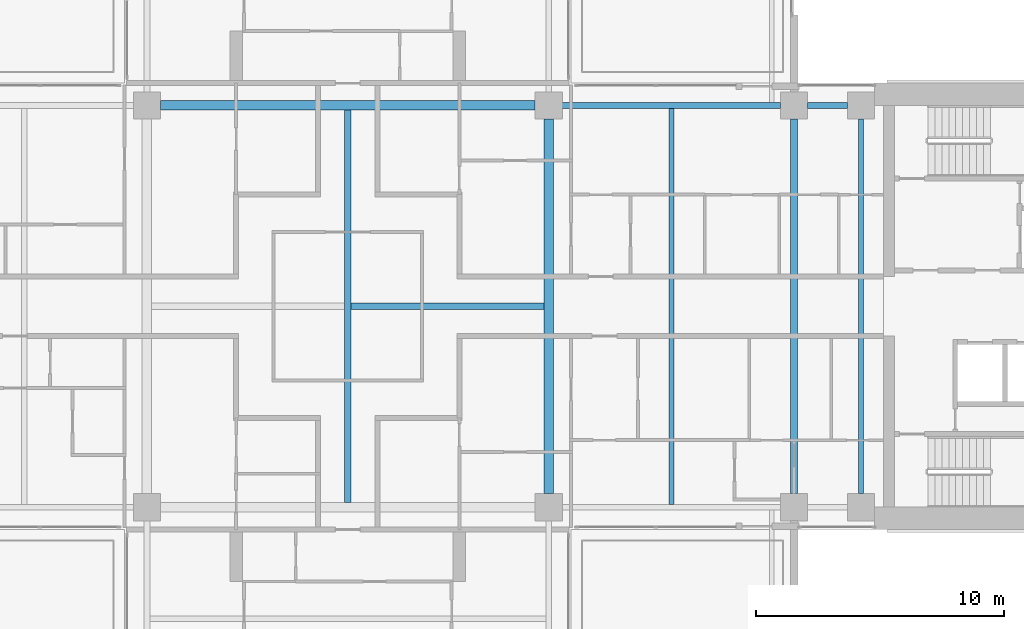
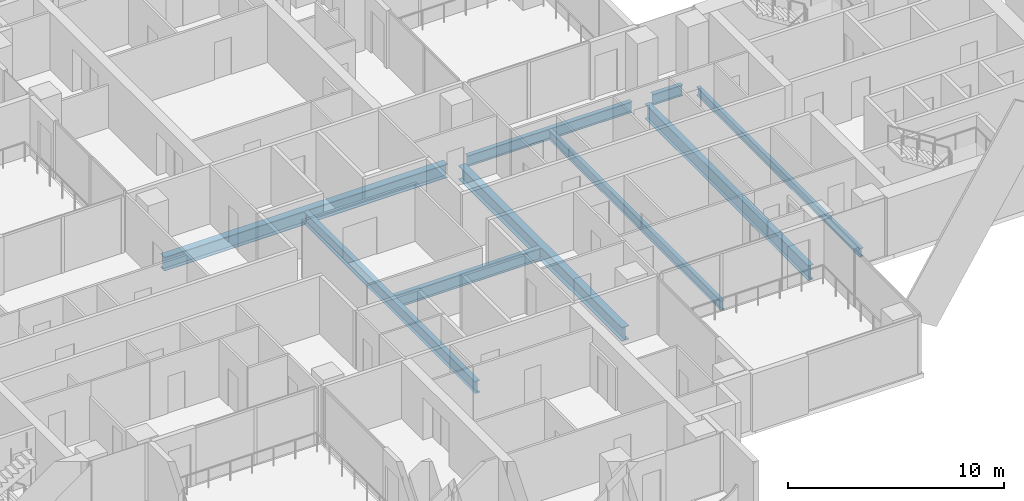
# One storey, part 4 of 19: 9 beams.
"""IFC4 building model written with IfcOpenShell, lengths in metres."""

from ifc_helpers import new_model, si_unit, direction, frame, origin, origin_2d, place, context, subcontext, project, spatial, i_section, extrude, material, material_profile, profile_set, type_object, element, save


model = new_model("IFC4")

# Units and contexts
model_context = context("Model", 3, precision=1e-05, world=origin(), true_north=direction((0.0, 1.0)))
body_context = subcontext(model_context, "Body", "Model", "MODEL_VIEW")
ifc_project = project(units=[si_unit("LENGTHUNIT", "METRE"), si_unit("AREAUNIT", "SQUARE_METRE"), si_unit("VOLUMEUNIT", "CUBIC_METRE"), si_unit("PLANEANGLEUNIT", "RADIAN"), si_unit("MASSUNIT", "GRAM", prefix="KILO")], contexts=[model_context])

# Site, building, storey
site_placement = place(None, origin())
site = spatial("IfcSite", under=ifc_project, at=site_placement, CompositionType="ELEMENT")
building_placement = place(site_placement, origin())
building = spatial("IfcBuilding", under=site, at=building_placement, Name="Perihelion Cross Residences", CompositionType="ELEMENT")
storey_placement = place(building_placement, frame((0.0, 0.0, 116.39990234375)))
storey = spatial("IfcBuildingStorey", under=building, at=storey_placement, Name="L27", CompositionType="ELEMENT", Elevation=116.39990234375)

# Beams
ifc_material_1 = material(Name="Steel S355", Category="steel")
ifc_material_profile_1 = material_profile(ifc_material_1, i_section(OverallWidth=0.194091796875, OverallDepth=0.469970703125, WebThickness=0.0126953125, FlangeThickness=0.0205078125, at=origin_2d()), Name="W460x106")
ifc_profile_set_1 = profile_set([ifc_material_profile_1], Name="Steel S355")
beam_type_1 = type_object("IfcBeamType", Name="Core edge beam W460x106", PredefinedType="BEAM", material=ifc_profile_set_1)
beam_1_placement = place(storey_placement, frame((20.699951171875, -7.550048828125, -0.48486328125), z_axis=(0.0, 1.0, 0.0), x_axis=(-1.0, 0.0, 0.0)))
element("IfcBeam", 1, at=beam_1_placement, inside=storey, type_object=beam_type_1, Name="Core edge beam TB5 L27 no. 2", PredefinedType="BEAM", context=body_context, shape_type="SweptSolid", body=[
    extrude(i_section(OverallWidth=0.194091796875, OverallDepth=0.469970703125, WebThickness=0.0126953125, FlangeThickness=0.0205078125, at=origin_2d()), origin(), (0.0, 0.0, 1.0), 15.10009765625),
])
ifc_material_2 = material(Name="Steel S355", Category="steel")
ifc_material_profile_2 = material_profile(ifc_material_2, i_section(OverallWidth=0.22900390625, OverallDepth=0.612060546875, WebThickness=0.011962890625, FlangeThickness=0.01953125, at=origin_2d()), Name="W610x125")
ifc_profile_set_2 = profile_set([ifc_material_profile_2], Name="Steel S355")
beam_type_2 = type_object("IfcBeamType", Name="Edge beam W610x125", PredefinedType="SPANDREL", material=ifc_profile_set_2)
beam_2_placement = place(storey_placement, frame((20.14990234375, 8.10009765625, -0.555908203125), z_axis=(-1.0, 0.0, 0.0), x_axis=(0.0, -1.0, 0.0)))
element("IfcBeam", 2, at=beam_2_placement, inside=storey, type_object=beam_type_2, Name="Edge beam SB3 L27 no. 13", PredefinedType="SPANDREL", context=body_context, shape_type="SweptSolid", body=[
    extrude(i_section(OverallWidth=0.22900390625, OverallDepth=0.612060546875, WebThickness=0.011962890625, FlangeThickness=0.01953125, at=origin_2d()), origin(), (0.0, 0.0, 1.0), 1.599853515625),
])
beam_3_placement = place(storey_placement, frame((17.449951171875, 8.10009765625, -0.555908203125), z_axis=(-1.0, 0.0, 0.0), x_axis=(0.0, -1.0, 0.0)))
element("IfcBeam", 3, at=beam_3_placement, inside=storey, type_object=beam_type_2, Name="Edge beam SB3 L27 no. 12", PredefinedType="SPANDREL", context=body_context, shape_type="SweptSolid", body=[
    extrude(i_section(OverallWidth=0.22900390625, OverallDepth=0.612060546875, WebThickness=0.011962890625, FlangeThickness=0.01953125, at=origin_2d()), origin(), (0.0, 0.0, 1.0), 8.800048828125),
])
ifc_material_3 = material(Name="Steel S355", Category="steel")
ifc_material_profile_3 = material_profile(ifc_material_3, i_section(OverallWidth=0.2919921875, OverallDepth=0.8359375, WebThickness=0.013916015625, FlangeThickness=0.018798828125, at=origin_2d()), Name="W840x176")
ifc_profile_set_3 = profile_set([ifc_material_profile_3], Name="Steel S355")
beam_type_3 = type_object("IfcBeamType", Name="Floor girder W840x176", PredefinedType="BEAM", material=ifc_profile_set_3)
beam_4_placement = place(storey_placement, frame((18.0, -7.550048828125, -0.66796875), z_axis=(0.0, 1.0, 0.0), x_axis=(-1.0, 0.0, 0.0)))
element("IfcBeam", 4, at=beam_4_placement, inside=storey, type_object=beam_type_3, Name="Girder G3 L27 no. 2", PredefinedType="BEAM", context=body_context, shape_type="SweptSolid", body=[
    extrude(i_section(OverallWidth=0.2919921875, OverallDepth=0.8359375, WebThickness=0.013916015625, FlangeThickness=0.018798828125, at=origin_2d()), origin(), (0.0, 0.0, 1.0), 15.10009765625),
])
ifc_material_4 = material(Name="Steel S355", Category="steel")
ifc_material_profile_4 = material_profile(ifc_material_4, i_section(OverallWidth=0.208984375, OverallDepth=0.532958984375, WebThickness=0.01025390625, FlangeThickness=0.015625, at=origin_2d()), Name="W530x92")
ifc_profile_set_4 = profile_set([ifc_material_profile_4], Name="Steel S355")
beam_type_4 = type_object("IfcBeamType", Name="Floor joist W530x92", PredefinedType="JOIST", material=ifc_profile_set_4)
beam_5_placement = place(storey_placement, frame((13.050048828125, -7.985595703125, -0.516357421875), z_axis=(0.0, 1.0, 0.0), x_axis=(-1.0, 0.0, 0.0)))
element("IfcBeam", 5, at=beam_5_placement, inside=storey, type_object=beam_type_4, Name="Joist J4 L27 no. 2", PredefinedType="JOIST", context=body_context, shape_type="SweptSolid", body=[
    extrude(i_section(OverallWidth=0.208984375, OverallDepth=0.532958984375, WebThickness=0.01025390625, FlangeThickness=0.015625, at=origin_2d()), origin(), (0.0, 0.0, 1.0), 15.97119140625),
])
ifc_material_5 = material(Name="Steel S355", Category="steel")
ifc_material_profile_5 = material_profile(ifc_material_5, i_section(OverallWidth=0.257080078125, OverallDepth=0.693115234375, WebThickness=0.014404296875, FlangeThickness=0.023681640625, at=origin_2d()), Name="W690x170")
ifc_profile_set_5 = profile_set([ifc_material_profile_5], Name="Steel S355")
beam_type_5 = type_object("IfcBeamType", Name="Hub cross beam W690x170", PredefinedType="BEAM", material=ifc_profile_set_5)
beam_6_placement = place(storey_placement, frame((0.0, -7.909423828125, -0.596435546875), z_axis=(0.0, 1.0, 0.0), x_axis=(-1.0, 0.0, 0.0)))
element("IfcBeam", 6, at=beam_6_placement, inside=storey, type_object=beam_type_5, Name="Hub cross beam XB3 L27 no. 1", PredefinedType="BEAM", context=body_context, shape_type="SweptSolid", body=[
    extrude(i_section(OverallWidth=0.257080078125, OverallDepth=0.693115234375, WebThickness=0.014404296875, FlangeThickness=0.023681640625, at=origin_2d()), origin(), (0.0, 0.0, 1.0), 15.81884765625),
])
beam_7_placement = place(storey_placement, frame((0.12841796875, 0.0, -0.596435546875), z_axis=(1.0, 0.0, 0.0), x_axis=(0.0, 1.0, 0.0)))
element("IfcBeam", 7, at=beam_7_placement, inside=storey, type_object=beam_type_5, Name="Hub cross beam XB3 L27 2 no. 1", PredefinedType="BEAM", context=body_context, shape_type="SweptSolid", body=[
    extrude(i_section(OverallWidth=0.257080078125, OverallDepth=0.693115234375, WebThickness=0.014404296875, FlangeThickness=0.023681640625, at=origin_2d()), origin(), (0.0, 0.0, 1.0), 7.781005859375),
])
ifc_material_6 = material(Name="Steel S355", Category="steel")
ifc_material_profile_6 = material_profile(ifc_material_6, i_section(OverallWidth=0.381103515625, OverallDepth=0.77197265625, WebThickness=0.0166015625, FlangeThickness=0.027099609375, at=origin_2d()), Name="W760x257")
ifc_profile_set_6 = profile_set([ifc_material_profile_6], Name="Steel S355")
beam_type_6 = type_object("IfcBeamType", Name="Hub ring girder W760x257", PredefinedType="BEAM", material=ifc_profile_set_6)
for number, where, z_axis, x_axis, name in (
    (8, (8.10009765625, -7.550048828125, -0.635986328125), (0.0, 1.0, 0.0), (-1.0, 0.0, 0.0), "Hub ring girder RG3 L27 no. 3"),
    (9, (7.550048828125, 8.10009765625, -0.635986328125), (-1.0, 0.0, 0.0), (0.0, -1.0, 0.0), "Hub ring girder RG3 L27 no. 4"),
):
    element("IfcBeam", number, at=place(storey_placement, frame(where, z_axis=z_axis, x_axis=x_axis)), inside=storey, type_object=beam_type_6, Name=name, PredefinedType="BEAM", context=body_context, shape_type="SweptSolid", body=[
        extrude(i_section(OverallWidth=0.381103515625, OverallDepth=0.77197265625, WebThickness=0.0166015625, FlangeThickness=0.027099609375, at=origin_2d()), origin(), (0.0, 0.0, 1.0), 15.10009765625),
    ])

save(model, "model.ifc")
